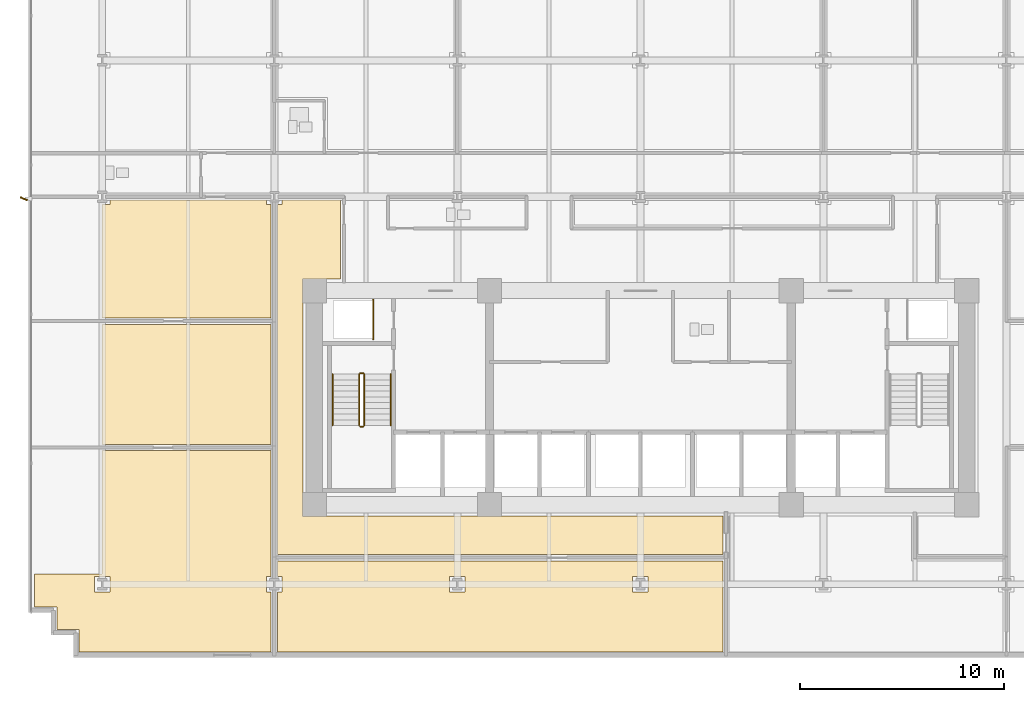
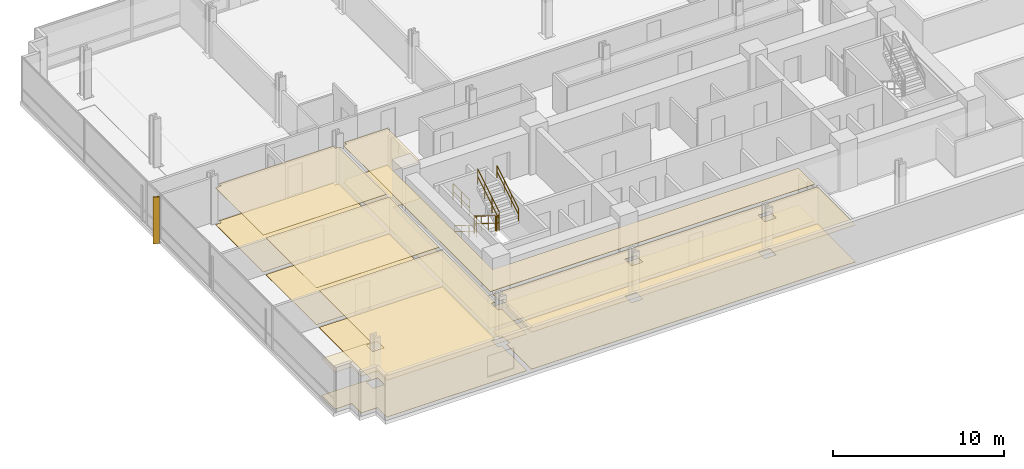
# One storey, part 17 of 21: 10 coverings, 7 railings, 1 shading device.
"""IFC4 building model written with IfcOpenShell, lengths in metres."""

from ifc_helpers import new_model, si_unit, direction, frame, origin, origin_2d, place, context, subcontext, project, spatial, polyline, rectangle, circle, outline, extrude, material, layer, layer_set, type_object, element, save


model = new_model("IFC4")

# Units and contexts
model_context = context("Model", 3, precision=1e-05, world=origin(), true_north=direction((0.0, 1.0)))
body_context = subcontext(model_context, "Body", "Model", "MODEL_VIEW")
ifc_project = project(units=[si_unit("LENGTHUNIT", "METRE"), si_unit("AREAUNIT", "SQUARE_METRE"), si_unit("VOLUMEUNIT", "CUBIC_METRE"), si_unit("PLANEANGLEUNIT", "RADIAN"), si_unit("MASSUNIT", "GRAM", prefix="KILO")], contexts=[model_context])

# Site, building, storey
site_placement = place(None, origin())
site = spatial("IfcSite", under=ifc_project, at=site_placement, CompositionType="ELEMENT")
building_placement = place(site_placement, origin())
building = spatial("IfcBuilding", under=site, at=building_placement, Name="Solmavex Isthmus Hotel", CompositionType="ELEMENT")
storey_placement = place(building_placement, frame((0.0, 0.0, 54.0)))
storey = spatial("IfcBuildingStorey", under=building, at=storey_placement, Name="L14", CompositionType="ELEMENT", Elevation=54.0)

# Coverings
ifc_material_1 = material(Name="Gypsum plasterboard lining", Category="gypsum")
ifc_layer_1 = layer(ifc_material_1, 0.030029296875)
ifc_layer_set_1 = layer_set([ifc_layer_1], Name="Gypsum plasterboard lining")
covering_type_1 = type_object("IfcCoveringType", Name="COV-CEIL-GYP", PredefinedType="CEILING", material=ifc_layer_set_1)
covering_1_placement = place(storey_placement, frame((0.0, 0.0, 2.6201171875)))
element("IfcCovering", 1, at=covering_1_placement, inside=storey, type_object=covering_type_1, Name="Suspended Acoustic Ceiling L14-FL11", PredefinedType="CEILING", context=body_context, shape_type="SweptSolid", body=[
    extrude(outline(polyline([(-26.02001953125, 1.945068359375), (-26.02001953125, 1.719970703125), (-26.39990234375, 1.719970703125), (-26.39990234375, -3.844970703125), (-18.10693359375, -3.844970703125), (-18.10693359375, 1.719970703125), (-18.33203125, 1.719970703125), (-18.33203125, 1.945068359375), (-26.02001953125, 1.945068359375)])), origin(), (0.0, 0.0, 1.0), 0.02978515625),
])
covering_2_placement = place(storey_placement, frame((0.0, 0.0, 2.6201171875)))
element("IfcCovering", 2, at=covering_2_placement, inside=storey, type_object=covering_type_1, Name="Suspended Acoustic Ceiling L14-FL13", PredefinedType="CEILING", context=body_context, shape_type="SweptSolid", body=[
    extrude(outline(polyline([(-26.39990234375, -4.155029296875), (-26.39990234375, -10.044921875), (-18.10693359375, -10.044921875), (-18.10693359375, -4.155029296875), (-26.39990234375, -4.155029296875)])), origin(), (0.0, 0.0, 1.0), 0.02978515625),
])
covering_3_placement = place(storey_placement, frame((0.0, 0.0, 2.6201171875)))
element("IfcCovering", 3, at=covering_3_placement, inside=storey, type_object=covering_type_1, Name="Suspended Acoustic Ceiling L14-FL14", PredefinedType="CEILING", context=body_context, shape_type="SweptSolid", body=[
    extrude(outline(polyline([(-17.572021484375, 1.945068359375), (-17.572021484375, 1.719970703125), (-17.797119140625, 1.719970703125), (-17.797119140625, -15.445068359375), (4.044921875, -15.445068359375), (4.044921875, -13.554931640625), (-16.554931640625, -13.554931640625), (-16.554931640625, -1.945068359375), (-14.698974609375, -1.945068359375), (-14.698974609375, 1.945068359375), (-17.572021484375, 1.945068359375)])), origin(), (0.0, 0.0, 1.0), 0.02978515625),
])
covering_4_placement = place(storey_placement, frame((0.0, 0.0, 2.6201171875)))
element("IfcCovering", 4, at=covering_4_placement, inside=storey, type_object=covering_type_1, Name="Suspended Acoustic Ceiling L14-FL16", PredefinedType="CEILING", context=body_context, shape_type="SweptSolid", body=[
    extrude(outline(polyline([(-17.797119140625, -16.52001953125), (-17.572021484375, -16.52001953125), (-17.572021484375, -17.280029296875), (-17.797119140625, -17.280029296875), (-17.797119140625, -20.22509765625), (4.044921875, -20.22509765625), (4.044921875, -15.7548828125), (-17.797119140625, -15.7548828125), (-17.797119140625, -16.52001953125)]), holes=[polyline([(-0.3798828125, -17.280029296875), (-0.3798828125, -16.52001953125), (0.3798828125, -16.52001953125), (0.3798828125, -17.280029296875), (-0.3798828125, -17.280029296875)]), polyline([(-9.35595703125, -17.280029296875), (-9.35595703125, -16.52001953125), (-8.595947265625, -16.52001953125), (-8.595947265625, -17.280029296875), (-9.35595703125, -17.280029296875)])]), origin(), (0.0, 0.0, 1.0), 0.02978515625),
])
covering_5_placement = place(storey_placement, frame((0.0, 0.0, 2.6201171875)))
element("IfcCovering", 5, at=covering_5_placement, inside=storey, type_object=covering_type_1, Name="Suspended Acoustic Ceiling L14-FL18", PredefinedType="CEILING", context=body_context, shape_type="SweptSolid", body=[
    extrude(outline(polyline([(-18.10693359375, -17.280029296875), (-18.33203125, -17.280029296875), (-18.33203125, -16.52001953125), (-18.10693359375, -16.52001953125), (-18.10693359375, -10.35498046875), (-26.39990234375, -10.35498046875), (-26.39990234375, -16.39990234375), (-29.72509765625, -16.39990234375), (-29.72509765625, -18.02490234375), (-28.625, -18.02490234375), (-28.625, -19.125), (-27.52490234375, -19.125), (-27.52490234375, -20.22509765625), (-18.10693359375, -20.22509765625), (-18.10693359375, -17.280029296875)]), holes=[polyline([(-26.780029296875, -17.280029296875), (-26.780029296875, -16.52001953125), (-26.02001953125, -16.52001953125), (-26.02001953125, -17.280029296875), (-26.780029296875, -17.280029296875)])]), origin(), (0.0, 0.0, 1.0), 0.02978515625),
])
ifc_material_2 = material(Name="Travertine natural stone", Category="masonry")
ifc_layer_2 = layer(ifc_material_2, 0.02490234375)
ifc_layer_set_2 = layer_set([ifc_layer_2], Name="Travertine natural stone")
covering_type_2 = type_object("IfcCoveringType", Name="COV-FLOR-STN", PredefinedType="FLOORING", material=ifc_layer_set_2)
covering_6_placement = place(storey_placement, origin())
element("IfcCovering", 6, at=covering_6_placement, inside=storey, type_object=covering_type_2, Name="Stone and Timber Floor Finish L14-FL11", PredefinedType="FLOORING", context=body_context, shape_type="SweptSolid", body=[
    extrude(outline(polyline([(-26.02001953125, 1.945068359375), (-26.02001953125, 1.719970703125), (-26.39990234375, 1.719970703125), (-26.39990234375, -3.844970703125), (-18.10693359375, -3.844970703125), (-18.10693359375, 1.719970703125), (-18.33203125, 1.719970703125), (-18.33203125, 1.945068359375), (-26.02001953125, 1.945068359375)])), origin(), (0.0, 0.0, 1.0), 0.02490234375),
])
covering_7_placement = place(storey_placement, origin())
element("IfcCovering", 7, at=covering_7_placement, inside=storey, type_object=covering_type_2, Name="Stone and Timber Floor Finish L14-FL13", PredefinedType="FLOORING", context=body_context, shape_type="SweptSolid", body=[
    extrude(outline(polyline([(-26.39990234375, -4.155029296875), (-26.39990234375, -10.044921875), (-18.10693359375, -10.044921875), (-18.10693359375, -4.155029296875), (-26.39990234375, -4.155029296875)])), origin(), (0.0, 0.0, 1.0), 0.02490234375),
])
covering_8_placement = place(storey_placement, origin())
element("IfcCovering", 8, at=covering_8_placement, inside=storey, type_object=covering_type_2, Name="Stone and Timber Floor Finish L14-FL14", PredefinedType="FLOORING", context=body_context, shape_type="SweptSolid", body=[
    extrude(outline(polyline([(-17.572021484375, 1.945068359375), (-17.572021484375, 1.719970703125), (-17.797119140625, 1.719970703125), (-17.797119140625, -15.445068359375), (4.044921875, -15.445068359375), (4.044921875, -13.554931640625), (-16.554931640625, -13.554931640625), (-16.554931640625, -1.945068359375), (-14.698974609375, -1.945068359375), (-14.698974609375, 1.945068359375), (-17.572021484375, 1.945068359375)])), origin(), (0.0, 0.0, 1.0), 0.02490234375),
])
covering_9_placement = place(storey_placement, origin())
element("IfcCovering", 9, at=covering_9_placement, inside=storey, type_object=covering_type_2, Name="Stone and Timber Floor Finish L14-FL16", PredefinedType="FLOORING", context=body_context, shape_type="SweptSolid", body=[
    extrude(outline(polyline([(-17.797119140625, -16.52001953125), (-17.572021484375, -16.52001953125), (-17.572021484375, -17.280029296875), (-17.797119140625, -17.280029296875), (-17.797119140625, -20.22509765625), (4.044921875, -20.22509765625), (4.044921875, -15.7548828125), (-17.797119140625, -15.7548828125), (-17.797119140625, -16.52001953125)]), holes=[polyline([(-0.3798828125, -17.280029296875), (-0.3798828125, -16.52001953125), (0.3798828125, -16.52001953125), (0.3798828125, -17.280029296875), (-0.3798828125, -17.280029296875)]), polyline([(-9.35595703125, -17.280029296875), (-9.35595703125, -16.52001953125), (-8.595947265625, -16.52001953125), (-8.595947265625, -17.280029296875), (-9.35595703125, -17.280029296875)])]), origin(), (0.0, 0.0, 1.0), 0.02490234375),
])
covering_10_placement = place(storey_placement, origin())
element("IfcCovering", 10, at=covering_10_placement, inside=storey, type_object=covering_type_2, Name="Stone and Timber Floor Finish L14-FL18", PredefinedType="FLOORING", context=body_context, shape_type="SweptSolid", body=[
    extrude(outline(polyline([(-18.10693359375, -17.280029296875), (-18.33203125, -17.280029296875), (-18.33203125, -16.52001953125), (-18.10693359375, -16.52001953125), (-18.10693359375, -10.35498046875), (-26.39990234375, -10.35498046875), (-26.39990234375, -16.39990234375), (-29.72509765625, -16.39990234375), (-29.72509765625, -18.02490234375), (-28.625, -18.02490234375), (-28.625, -19.125), (-27.52490234375, -19.125), (-27.52490234375, -20.22509765625), (-18.10693359375, -20.22509765625), (-18.10693359375, -17.280029296875)]), holes=[polyline([(-26.780029296875, -17.280029296875), (-26.780029296875, -16.52001953125), (-26.02001953125, -16.52001953125), (-26.02001953125, -17.280029296875), (-26.780029296875, -17.280029296875)])]), origin(), (0.0, 0.0, 1.0), 0.02490234375),
])

# Railings
ifc_material_3 = material(Name="Clear low-E laminated glass", Category="glass")
ifc_layer_3 = layer(ifc_material_3, 0.080078125)
ifc_layer_set_3 = layer_set([ifc_layer_3], Name="Clear low-E laminated glass")
railing_type_1 = type_object("IfcRailingType", Name="RAIL-ATRIUM-1120", PredefinedType="BALUSTRADE", material=ifc_layer_set_3)
railing_1_placement = place(storey_placement, frame((-13.10009765625, -4.89990234375, 0.0)))
element("IfcRailing", 11, at=railing_1_placement, inside=storey, type_object=railing_type_1, Name="Guardrail Balustrade L14-RSW-01", PredefinedType="BALUSTRADE", context=body_context, shape_type="SweptSolid", body=[
    extrude(circle(Radius=0.02392578125, at=origin_2d()), frame((0.0, 0.0, 1.1259765625), z_axis=(0.0, 1.0, 0.0), x_axis=(-1.0, 0.0, 0.0)), (0.0, 0.0, 1.0), 1.949951171875),
    extrude(circle(Radius=0.02392578125, at=origin_2d()), frame((0.0, 0.0, 0.574951171875), z_axis=(0.0, 1.0, 0.0), x_axis=(-1.0, 0.0, 0.0)), (0.0, 0.0, 1.0), 1.949951171875),
    extrude(circle(Radius=0.02099609375, at=origin_2d()), origin(), (0.0, 0.0, 1.0), 1.101806640625),
    extrude(circle(Radius=0.02099609375, at=origin_2d()), frame((0.0, 0.97509765625, 0.0)), (0.0, 0.0, 1.0), 1.101806640625),
    extrude(circle(Radius=0.02099609375, at=origin_2d()), frame((0.0, 1.949951171875, 0.0)), (0.0, 0.0, 1.0), 1.101806640625),
])
ifc_material_4 = material(Name="Stainless steel 316", Category="steel")
ifc_layer_4 = layer(ifc_material_4, 0.06005859375)
ifc_layer_set_4 = layer_set([ifc_layer_4], Name="Stainless steel 316")
railing_type_2 = type_object("IfcRailingType", Name="RAIL-STAIR-GD", PredefinedType="GUARDRAIL", material=ifc_layer_set_4)
railing_2_placement = place(storey_placement, frame((-13.800048828125, -6.60009765625, 0.172607421875)))
element("IfcRailing", 12, at=railing_2_placement, inside=storey, type_object=railing_type_2, Name="L14 ST-1 stair guard 1", PredefinedType="GUARDRAIL", context=body_context, shape_type="SweptSolid", body=[
    extrude(circle(Radius=0.02392578125, at=origin_2d()), frame((0.0, 0.0, 1.09619140625), z_axis=(0.0, -0.851400495292, 0.524516154772), x_axis=(1.0, 0.0, 0.0)), (0.0, 0.0, 1.0), 2.9599609375),
    extrude(circle(Radius=0.02392578125, at=origin_2d()), frame((0.0, 0.0, 0.56005859375), z_axis=(0.0, -0.851400495292, 0.524516154772), x_axis=(1.0, 0.0, 0.0)), (0.0, 0.0, 1.0), 2.9599609375),
    extrude(circle(Radius=0.02099609375, at=origin_2d()), origin(), (0.0, 0.0, 1.0), 1.072021484375),
    extrude(circle(Radius=0.02099609375, at=origin_2d()), frame((0.0, -0.840087890625, 0.517578125)), (0.0, 0.0, 1.0), 1.072021484375),
    extrude(circle(Radius=0.02099609375, at=origin_2d()), frame((0.0, -1.679931640625, 1.034912109375)), (0.0, 0.0, 1.0), 1.072021484375),
    extrude(circle(Radius=0.02099609375, at=origin_2d()), frame((0.0, -2.52001953125, 1.552490234375)), (0.0, 0.0, 1.0), 1.072021484375),
])
railing_3_placement = place(storey_placement, frame((-13.75, -9.169921875, 1.72509765625)))
element("IfcRailing", 13, at=railing_3_placement, inside=storey, type_object=railing_type_2, Name="L14 ST-1 stair guard 2", PredefinedType="GUARDRAIL", context=body_context, shape_type="SweptSolid", body=[
    extrude(circle(Radius=0.02392578125, at=origin_2d()), frame((0.0, 0.0, 1.09619140625), z_axis=(1.0, 0.0, 0.0), x_axis=(0.0, 1.0, 0.0)), (0.0, 0.0, 1.0), 0.14990234375),
    extrude(circle(Radius=0.02392578125, at=origin_2d()), frame((0.0, 0.0, 0.56005859375), z_axis=(1.0, 0.0, 0.0), x_axis=(0.0, 1.0, 0.0)), (0.0, 0.0, 1.0), 0.14990234375),
    extrude(circle(Radius=0.02099609375, at=origin_2d()), origin(), (0.0, 0.0, 1.0), 1.072021484375),
    extrude(circle(Radius=0.02099609375, at=origin_2d()), frame((0.14990234375, 0.0, 0.0)), (0.0, 0.0, 1.0), 1.072021484375),
])
railing_4_placement = place(storey_placement, frame((-13.550048828125, -9.1201171875, 1.8974609375)))
element("IfcRailing", 14, at=railing_4_placement, inside=storey, type_object=railing_type_2, Name="L14 ST-1 stair guard 3", PredefinedType="GUARDRAIL", context=body_context, shape_type="SweptSolid", body=[
    extrude(circle(Radius=0.02392578125, at=origin_2d()), frame((0.0, 0.0, 1.09619140625), z_axis=(0.0, 0.851400495292, 0.524516154772), x_axis=(-1.0, 0.0, 0.0)), (0.0, 0.0, 1.0), 2.9599609375),
    extrude(circle(Radius=0.02392578125, at=origin_2d()), frame((0.0, 0.0, 0.56005859375), z_axis=(0.0, 0.851400495292, 0.524516154772), x_axis=(-1.0, 0.0, 0.0)), (0.0, 0.0, 1.0), 2.9599609375),
    extrude(circle(Radius=0.02099609375, at=origin_2d()), origin(), (0.0, 0.0, 1.0), 1.072021484375),
    extrude(circle(Radius=0.02099609375, at=origin_2d()), frame((0.0, 0.840087890625, 0.517578125)), (0.0, 0.0, 1.0), 1.072021484375),
    extrude(circle(Radius=0.02099609375, at=origin_2d()), frame((0.0, 1.679931640625, 1.034912109375)), (0.0, 0.0, 1.0), 1.072021484375),
    extrude(circle(Radius=0.02099609375, at=origin_2d()), frame((0.0, 2.52001953125, 1.552490234375)), (0.0, 0.0, 1.0), 1.072021484375),
])
railing_5_placement = place(storey_placement, frame((-13.75, -6.550048828125, 0.0)))
element("IfcRailing", 15, at=railing_5_placement, inside=storey, type_object=railing_type_2, Name="L14 ST-1 stair guard 4", PredefinedType="GUARDRAIL", context=body_context, shape_type="SweptSolid", body=[
    extrude(circle(Radius=0.02392578125, at=origin_2d()), frame((0.0, 0.0, 1.09619140625), z_axis=(1.0, 0.0, 0.0), x_axis=(0.0, 1.0, 0.0)), (0.0, 0.0, 1.0), 0.14990234375),
    extrude(circle(Radius=0.02392578125, at=origin_2d()), frame((0.0, 0.0, 0.56005859375), z_axis=(1.0, 0.0, 0.0), x_axis=(0.0, 1.0, 0.0)), (0.0, 0.0, 1.0), 0.14990234375),
    extrude(circle(Radius=0.02099609375, at=origin_2d()), origin(), (0.0, 0.0, 1.0), 1.072021484375),
    extrude(circle(Radius=0.02099609375, at=origin_2d()), frame((0.14990234375, 0.0, 0.0)), (0.0, 0.0, 1.0), 1.072021484375),
])
ifc_layer_5 = layer(ifc_material_4, 0.050048828125)
ifc_layer_set_5 = layer_set([ifc_layer_5], Name="Stainless steel 316")
railing_type_3 = type_object("IfcRailingType", Name="RAIL-STAIR-HR", PredefinedType="HANDRAIL", material=ifc_layer_set_5)
railing_6_placement = place(storey_placement, frame((-15.10009765625, -6.60009765625, 0.172607421875)))
element("IfcRailing", 16, at=railing_6_placement, inside=storey, type_object=railing_type_3, Name="L14 ST-1 stair handrail 1", PredefinedType="HANDRAIL", context=body_context, shape_type="SweptSolid", body=[
    extrude(circle(Radius=0.02392578125, at=origin_2d()), frame((0.0, 0.0, 0.8759765625), z_axis=(0.0, -0.851400495292, 0.524516154772), x_axis=(1.0, 0.0, 0.0)), (0.0, 0.0, 1.0), 2.9599609375),
    extrude(circle(Radius=0.02392578125, at=origin_2d()), frame((0.0, 0.0, 0.449951171875), z_axis=(0.0, -0.851400495292, 0.524516154772), x_axis=(1.0, 0.0, 0.0)), (0.0, 0.0, 1.0), 2.9599609375),
    extrude(circle(Radius=0.02099609375, at=origin_2d()), origin(), (0.0, 0.0, 1.0), 0.851806640625),
    extrude(circle(Radius=0.02099609375, at=origin_2d()), frame((0.0, -0.840087890625, 0.517578125)), (0.0, 0.0, 1.0), 0.851806640625),
    extrude(circle(Radius=0.02099609375, at=origin_2d()), frame((0.0, -1.679931640625, 1.034912109375)), (0.0, 0.0, 1.0), 0.851806640625),
    extrude(circle(Radius=0.02099609375, at=origin_2d()), frame((0.0, -2.52001953125, 1.552490234375)), (0.0, 0.0, 1.0), 0.851806640625),
])
railing_7_placement = place(storey_placement, frame((-12.25, -9.1201171875, 1.8974609375)))
element("IfcRailing", 17, at=railing_7_placement, inside=storey, type_object=railing_type_3, Name="L14 ST-1 stair handrail 2", PredefinedType="HANDRAIL", context=body_context, shape_type="SweptSolid", body=[
    extrude(circle(Radius=0.02392578125, at=origin_2d()), frame((0.0, 0.0, 0.8759765625), z_axis=(0.0, 0.851400495292, 0.524516154772), x_axis=(-1.0, 0.0, 0.0)), (0.0, 0.0, 1.0), 2.9599609375),
    extrude(circle(Radius=0.02392578125, at=origin_2d()), frame((0.0, 0.0, 0.449951171875), z_axis=(0.0, 0.851400495292, 0.524516154772), x_axis=(-1.0, 0.0, 0.0)), (0.0, 0.0, 1.0), 2.9599609375),
    extrude(circle(Radius=0.02099609375, at=origin_2d()), origin(), (0.0, 0.0, 1.0), 0.851806640625),
    extrude(circle(Radius=0.02099609375, at=origin_2d()), frame((0.0, 0.840087890625, 0.517578125)), (0.0, 0.0, 1.0), 0.851806640625),
    extrude(circle(Radius=0.02099609375, at=origin_2d()), frame((0.0, 1.679931640625, 1.034912109375)), (0.0, 0.0, 1.0), 0.851806640625),
    extrude(circle(Radius=0.02099609375, at=origin_2d()), frame((0.0, 2.52001953125, 1.552490234375)), (0.0, 0.0, 1.0), 0.851806640625),
])

# Shading device
ifc_material_5 = material(Name="Aluminium alloy 6063-T6", Category="aluminium")
shading_device_type = type_object("IfcShadingDeviceType", Name="SHD-FIN-CHAMP", PredefinedType="USERDEFINED", material=ifc_material_5)
shading_device_placement = place(storey_placement, frame((-30.239990234375, 2.0, -0.14013671875), z_axis=(0.0, 0.0, 1.0), x_axis=(-0.913545457643, 0.406736643076, 0.0)))
element("IfcShadingDevice", 18, at=shading_device_placement, inside=storey, type_object=shading_device_type, Name="Anodised Aluminium Solar Fin L14-W1", ObjectType="SOLAR_FIN", PredefinedType="USERDEFINED", context=body_context, shape_type="SweptSolid", body=[
    extrude(rectangle(XDim=0.3798828125, YDim=0.070068359375, at=origin_2d()), origin(), (0.0, 0.0, 1.0), 3.330078125),
])

save(model, "model.ifc")
